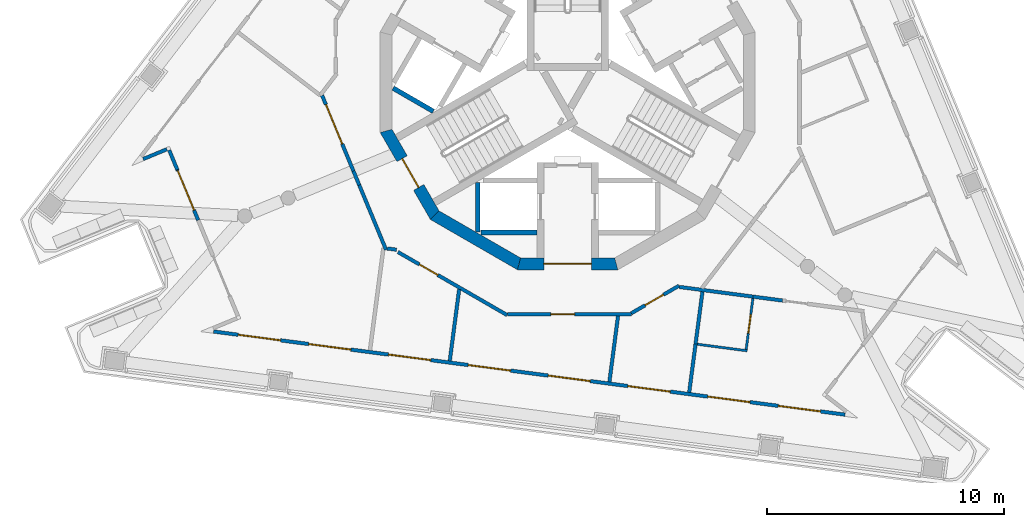
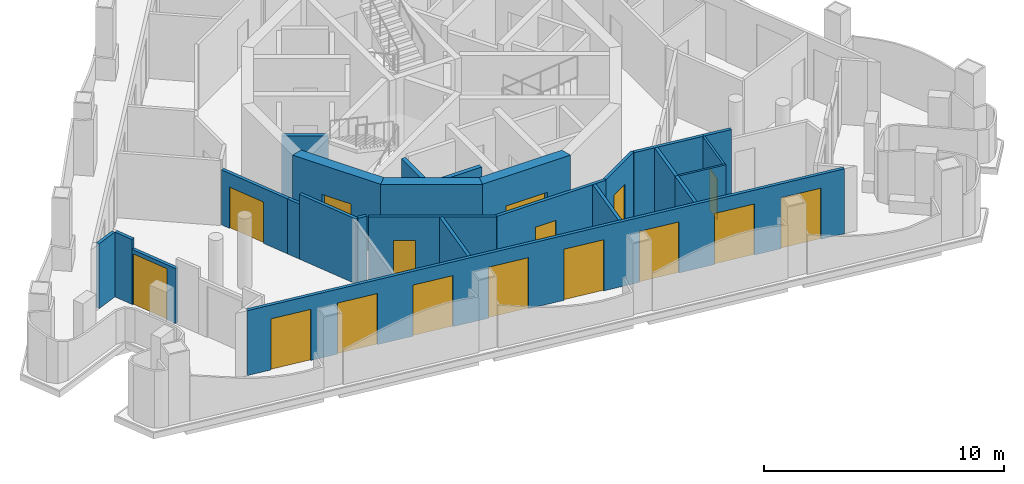
# One storey, part 2 of 13: 25 walls, 16 doors, 16 openings.
"""IFC4 building model written with IfcOpenShell, lengths in metres."""

from ifc_helpers import new_model, si_unit, direction, frame, frame_2d, origin, place, context, subcontext, project, spatial, polyline, rectangle, outline, extrude, material, layer, layer_set, type_object, element, fill, save


model = new_model("IFC4")

# Units and contexts
model_context = context("Model", 3, precision=1e-05, world=origin(), true_north=direction((0.0, 1.0)))
body_context = subcontext(model_context, "Body", "Model", "MODEL_VIEW")
ifc_project = project(units=[si_unit("LENGTHUNIT", "METRE"), si_unit("AREAUNIT", "SQUARE_METRE"), si_unit("VOLUMEUNIT", "CUBIC_METRE"), si_unit("PLANEANGLEUNIT", "RADIAN"), si_unit("MASSUNIT", "GRAM", prefix="KILO")], contexts=[model_context])

# Site, building, storey
site_placement = place(None, origin())
site = spatial("IfcSite", under=ifc_project, at=site_placement, CompositionType="ELEMENT")
building_placement = place(site_placement, origin())
building = spatial("IfcBuilding", under=site, at=building_placement, Name="Trine Commons Tower", CompositionType="ELEMENT")
storey_placement = place(building_placement, frame((0.0, 0.0, 286.199951171875)))
storey = spatial("IfcBuildingStorey", under=building, at=storey_placement, Name="L75", CompositionType="ELEMENT", Elevation=286.199951171875)

# Wall, openings, doors
ifc_material_1 = material(Name="Aluminium-framed insulated wall panel", Category="aluminium")
ifc_layer_1 = layer(ifc_material_1, 0.14990234375)
ifc_layer_set_1 = layer_set([ifc_layer_1], Name="Aluminium-framed insulated wall panel")
wall_type_1 = type_object("IfcWallType", Name="Glazed frame wall 150, EI 60", PredefinedType="SOLIDWALL", material=ifc_layer_set_1)
wall_1_placement = place(storey_placement, frame((91.869140625, 48.4384765625, 0.0), z_axis=(0.0, 0.0, 1.0), x_axis=(-0.991445282789, 0.130522991213, 0.0)))
wall_1 = element("IfcWall", 1, at=wall_1_placement, inside=storey, type_object=wall_type_1, Name="Glazed frame wall F3", PredefinedType="SOLIDWALL", context=body_context, shape_type="SweptSolid", body=[
    extrude(outline(polyline([(0.1494140625, 0.074951171875), (0.1494140625, -0.074951171875), (27.056884765625, -0.074951171875), (27.056884765625, 0.074951171875), (0.1494140625, 0.074951171875)])), origin(), (0.0, 0.0, 1.0), 3.300048828125),
])
opening_1_placement = place(wall_1_placement, frame((1.200439453125, 0.0, 0.0)))
opening_1 = element("IfcOpeningElement", 2, at=opening_1_placement, cuts=wall_1, Name="Opening BD-8F3-01", PredefinedType="OPENING", context=body_context, shape_type="SweptSolid", body=[
    extrude(rectangle(XDim=1.800048828125, YDim=2.60009765625, at=frame_2d((0.89990234375, 1.300048828125))), frame((0.0, 0.0849609375, 0.0), z_axis=(0.0, -1.0, 0.0), x_axis=(1.0, 0.0, 0.0)), (0.0, 0.0, 1.0), 0.169921875),
])
opening_2_placement = place(wall_1_placement, frame((4.201171875, 0.0, 0.0)))
opening_2 = element("IfcOpeningElement", 3, at=opening_2_placement, cuts=wall_1, Name="Opening BD-8F3-02", PredefinedType="OPENING", context=body_context, shape_type="SweptSolid", body=[
    extrude(rectangle(XDim=1.800048828125, YDim=2.60009765625, at=frame_2d((0.89990234375, 1.300048828125))), frame((0.0, 0.0849609375, 0.0), z_axis=(0.0, -1.0, 0.0), x_axis=(1.0, 0.0, 0.0)), (0.0, 0.0, 1.0), 0.169921875),
])
opening_3_placement = place(wall_1_placement, frame((7.60205078125, 0.0, 0.0)))
opening_3 = element("IfcOpeningElement", 4, at=opening_3_placement, cuts=wall_1, Name="Opening BD-8F3-03", PredefinedType="OPENING", context=body_context, shape_type="SweptSolid", body=[
    extrude(rectangle(XDim=1.800048828125, YDim=2.60009765625, at=frame_2d((0.89990234375, 1.300048828125))), frame((0.0, 0.0849609375, 0.0), z_axis=(0.0, -1.0, 0.0), x_axis=(1.0, 0.0, 0.0)), (0.0, 0.0, 1.0), 0.169921875),
])
opening_4_placement = place(wall_1_placement, frame((11.002685546875, 0.0, 0.0)))
opening_4 = element("IfcOpeningElement", 5, at=opening_4_placement, cuts=wall_1, Name="Opening BD-8F3-04", PredefinedType="OPENING", context=body_context, shape_type="SweptSolid", body=[
    extrude(rectangle(XDim=1.800048828125, YDim=2.60009765625, at=frame_2d((0.89990234375, 1.300048828125))), frame((0.0, 0.0849609375, 0.0), z_axis=(0.0, -1.0, 0.0), x_axis=(1.0, 0.0, 0.0)), (0.0, 0.0, 1.0), 0.169921875),
])
opening_5_placement = place(wall_1_placement, frame((14.403564453125, 0.0, 0.0)))
opening_5 = element("IfcOpeningElement", 6, at=opening_5_placement, cuts=wall_1, Name="Opening BD-8F3-05", PredefinedType="OPENING", context=body_context, shape_type="SweptSolid", body=[
    extrude(rectangle(XDim=1.800048828125, YDim=2.60009765625, at=frame_2d((0.89990234375, 1.300048828125))), frame((0.0, 0.0849609375, 0.0), z_axis=(0.0, -1.0, 0.0), x_axis=(1.0, 0.0, 0.0)), (0.0, 0.0, 1.0), 0.169921875),
])
opening_6_placement = place(wall_1_placement, frame((17.804443359375, 0.0, 0.0)))
opening_6 = element("IfcOpeningElement", 7, at=opening_6_placement, cuts=wall_1, Name="Opening BD-8F3-06", PredefinedType="OPENING", context=body_context, shape_type="SweptSolid", body=[
    extrude(rectangle(XDim=1.800048828125, YDim=2.60009765625, at=frame_2d((0.89990234375, 1.300048828125))), frame((0.0, 0.0849609375, 0.0), z_axis=(0.0, -1.0, 0.0), x_axis=(1.0, 0.0, 0.0)), (0.0, 0.0, 1.0), 0.169921875),
])
opening_7_placement = place(wall_1_placement, frame((21.205078125, 0.0, 0.0)))
opening_7 = element("IfcOpeningElement", 8, at=opening_7_placement, cuts=wall_1, Name="Opening BD-8F3-07", PredefinedType="OPENING", context=body_context, shape_type="SweptSolid", body=[
    extrude(rectangle(XDim=1.800048828125, YDim=2.60009765625, at=frame_2d((0.89990234375, 1.300048828125))), frame((0.0, 0.0849609375, 0.0), z_axis=(0.0, -1.0, 0.0), x_axis=(1.0, 0.0, 0.0)), (0.0, 0.0, 1.0), 0.169921875),
])
opening_8_placement = place(wall_1_placement, frame((24.2060546875, 0.0, 0.0)))
opening_8 = element("IfcOpeningElement", 9, at=opening_8_placement, cuts=wall_1, Name="Opening BD-8F3-08", PredefinedType="OPENING", context=body_context, shape_type="SweptSolid", body=[
    extrude(rectangle(XDim=1.800048828125, YDim=2.60009765625, at=frame_2d((0.89990234375, 1.300048828125))), frame((0.0, 0.0849609375, 0.0), z_axis=(0.0, -1.0, 0.0), x_axis=(1.0, 0.0, 0.0)), (0.0, 0.0, 1.0), 0.169921875),
])
ifc_material_2 = material(Name="Anodised aluminium frame with double glazing", Category="aluminium")
door_type_1 = type_object("IfcDoorType", Name="Sliding loggia door 1800x2600", OperationType="SLIDING_TO_LEFT", PredefinedType="DOOR", material=ifc_material_2)
door_1_placement = place(opening_1_placement, origin())
door_1 = element("IfcDoor", 10, at=door_1_placement, inside=storey, type_object=door_type_1, Name="Loggia door F3 1", OperationType="SLIDING_TO_LEFT", OverallHeight=2.60009765625, OverallWidth=1.800048828125, PredefinedType="DOOR", context=body_context, shape_type="SweptSolid", body=[
    extrude(rectangle(XDim=1.800048828125, YDim=2.60009765625, at=frame_2d((0.89990234375, 1.300048828125))), frame((0.0, 0.02490234375, 0.0), z_axis=(0.0, -1.0, 0.0), x_axis=(1.0, 0.0, 0.0)), (0.0, 0.0, 1.0), 0.050048828125),
])
fill(opening_1, door_1)
door_2_placement = place(opening_2_placement, origin())
door_2 = element("IfcDoor", 11, at=door_2_placement, inside=storey, type_object=door_type_1, Name="Loggia door F3 2", OperationType="SLIDING_TO_LEFT", OverallHeight=2.60009765625, OverallWidth=1.800048828125, PredefinedType="DOOR", context=body_context, shape_type="SweptSolid", body=[
    extrude(rectangle(XDim=1.800048828125, YDim=2.60009765625, at=frame_2d((0.89990234375, 1.300048828125))), frame((0.0, 0.02490234375, 0.0), z_axis=(0.0, -1.0, 0.0), x_axis=(1.0, 0.0, 0.0)), (0.0, 0.0, 1.0), 0.050048828125),
])
fill(opening_2, door_2)
door_3_placement = place(opening_3_placement, origin())
door_3 = element("IfcDoor", 12, at=door_3_placement, inside=storey, type_object=door_type_1, Name="Loggia door F3 3", OperationType="SLIDING_TO_LEFT", OverallHeight=2.60009765625, OverallWidth=1.800048828125, PredefinedType="DOOR", context=body_context, shape_type="SweptSolid", body=[
    extrude(rectangle(XDim=1.800048828125, YDim=2.60009765625, at=frame_2d((0.89990234375, 1.300048828125))), frame((0.0, 0.02490234375, 0.0), z_axis=(0.0, -1.0, 0.0), x_axis=(1.0, 0.0, 0.0)), (0.0, 0.0, 1.0), 0.050048828125),
])
fill(opening_3, door_3)
door_4_placement = place(opening_4_placement, origin())
door_4 = element("IfcDoor", 13, at=door_4_placement, inside=storey, type_object=door_type_1, Name="Loggia door F3 4", OperationType="SLIDING_TO_LEFT", OverallHeight=2.60009765625, OverallWidth=1.800048828125, PredefinedType="DOOR", context=body_context, shape_type="SweptSolid", body=[
    extrude(rectangle(XDim=1.800048828125, YDim=2.60009765625, at=frame_2d((0.89990234375, 1.300048828125))), frame((0.0, 0.02490234375, 0.0), z_axis=(0.0, -1.0, 0.0), x_axis=(1.0, 0.0, 0.0)), (0.0, 0.0, 1.0), 0.050048828125),
])
fill(opening_4, door_4)
door_5_placement = place(opening_5_placement, origin())
door_5 = element("IfcDoor", 14, at=door_5_placement, inside=storey, type_object=door_type_1, Name="Loggia door F3 5", OperationType="SLIDING_TO_LEFT", OverallHeight=2.60009765625, OverallWidth=1.800048828125, PredefinedType="DOOR", context=body_context, shape_type="SweptSolid", body=[
    extrude(rectangle(XDim=1.800048828125, YDim=2.60009765625, at=frame_2d((0.89990234375, 1.300048828125))), frame((0.0, 0.02490234375, 0.0), z_axis=(0.0, -1.0, 0.0), x_axis=(1.0, 0.0, 0.0)), (0.0, 0.0, 1.0), 0.050048828125),
])
fill(opening_5, door_5)
door_6_placement = place(opening_6_placement, origin())
door_6 = element("IfcDoor", 15, at=door_6_placement, inside=storey, type_object=door_type_1, Name="Loggia door F3 6", OperationType="SLIDING_TO_LEFT", OverallHeight=2.60009765625, OverallWidth=1.800048828125, PredefinedType="DOOR", context=body_context, shape_type="SweptSolid", body=[
    extrude(rectangle(XDim=1.800048828125, YDim=2.60009765625, at=frame_2d((0.89990234375, 1.300048828125))), frame((0.0, 0.02490234375, 0.0), z_axis=(0.0, -1.0, 0.0), x_axis=(1.0, 0.0, 0.0)), (0.0, 0.0, 1.0), 0.050048828125),
])
fill(opening_6, door_6)
door_7_placement = place(opening_7_placement, origin())
door_7 = element("IfcDoor", 16, at=door_7_placement, inside=storey, type_object=door_type_1, Name="Loggia door F3 7", OperationType="SLIDING_TO_LEFT", OverallHeight=2.60009765625, OverallWidth=1.800048828125, PredefinedType="DOOR", context=body_context, shape_type="SweptSolid", body=[
    extrude(rectangle(XDim=1.800048828125, YDim=2.60009765625, at=frame_2d((0.89990234375, 1.300048828125))), frame((0.0, 0.02490234375, 0.0), z_axis=(0.0, -1.0, 0.0), x_axis=(1.0, 0.0, 0.0)), (0.0, 0.0, 1.0), 0.050048828125),
])
fill(opening_7, door_7)
door_8_placement = place(opening_8_placement, origin())
door_8 = element("IfcDoor", 17, at=door_8_placement, inside=storey, type_object=door_type_1, Name="Loggia door F3 8", OperationType="SLIDING_TO_LEFT", OverallHeight=2.60009765625, OverallWidth=1.800048828125, PredefinedType="DOOR", context=body_context, shape_type="SweptSolid", body=[
    extrude(rectangle(XDim=1.800048828125, YDim=2.60009765625, at=frame_2d((0.89990234375, 1.300048828125))), frame((0.0, 0.02490234375, 0.0), z_axis=(0.0, -1.0, 0.0), x_axis=(1.0, 0.0, 0.0)), (0.0, 0.0, 1.0), 0.050048828125),
])
fill(opening_8, door_8)

# Wall, opening, door
wall_2_placement = place(storey_placement, frame((64.392578125, 56.673095703125, 0.0), z_axis=(0.0, 0.0, 1.0), x_axis=(-0.382693948857, 0.923875176368, 0.0)))
wall_2 = element("IfcWall", 18, at=wall_2_placement, inside=storey, type_object=wall_type_1, Name="Glazed frame wall P3.4", PredefinedType="SOLIDWALL", context=body_context, shape_type="SweptSolid", body=[
    extrude(outline(polyline([(0.0, -0.074951171875), (2.310546875, -0.074951171875), (2.310546875, 0.074951171875), (0.0, 0.074951171875), (0.0, -0.074951171875)])), origin(), (0.0, 0.0, 1.0), 2.800048828125),
])
opening_9_placement = place(wall_2_placement, frame((0.460693359375, 0.0, 0.0)))
opening_9 = element("IfcOpeningElement", 19, at=opening_9_placement, cuts=wall_2, Name="Opening BD-8P3-02", PredefinedType="OPENING", context=body_context, shape_type="SweptSolid", body=[
    extrude(rectangle(XDim=1.800048828125, YDim=2.60009765625, at=frame_2d((0.89990234375, 1.300048828125))), frame((0.0, 0.0849609375, 0.0), z_axis=(0.0, -1.0, 0.0), x_axis=(1.0, 0.0, 0.0)), (0.0, 0.0, 1.0), 0.169921875),
])
door_9_placement = place(opening_9_placement, origin())
door_9 = element("IfcDoor", 20, at=door_9_placement, inside=storey, type_object=door_type_1, Name="Loggia door P3 2", OperationType="SLIDING_TO_LEFT", OverallHeight=2.60009765625, OverallWidth=1.800048828125, PredefinedType="DOOR", context=body_context, shape_type="SweptSolid", body=[
    extrude(rectangle(XDim=1.800048828125, YDim=2.60009765625, at=frame_2d((0.89990234375, 1.300048828125))), frame((0.0, 0.02490234375, 0.0), z_axis=(0.0, -1.0, 0.0), x_axis=(1.0, 0.0, 0.0)), (0.0, 0.0, 1.0), 0.050048828125),
])
fill(opening_9, door_9)

# Walls
wall_3_placement = place(storey_placement, frame((63.50830078125, 58.807861328125, 0.0), z_axis=(0.0, 0.0, 1.0), x_axis=(-0.382603377961, 0.923912688068, 0.0)))
element("IfcWall", 21, at=wall_3_placement, inside=storey, type_object=wall_type_1, Name="Glazed frame wall P3.5", PredefinedType="SOLIDWALL", context=body_context, shape_type="SweptSolid", body=[
    extrude(outline(polyline([(0.889892578125, 0.074951171875), (0.0, 0.074951171875), (0.0, -0.074951171875), (0.889892578125, -0.074951171875), (0.889892578125, 0.074951171875)])), origin(), (0.0, 0.0, 1.0), 3.300048828125),
])
wall_4_placement = place(storey_placement, frame((63.17138671875, 59.712890625, 0.0), z_axis=(0.0, 0.0, 1.0), x_axis=(-0.923837625967, -0.382784588048, 0.0)))
element("IfcWall", 22, at=wall_4_placement, inside=storey, type_object=wall_type_1, Name="Glazed frame wall R12", PredefinedType="SOLIDWALL", context=body_context, shape_type="SweptSolid", body=[
    extrude(outline(polyline([(0.110107421875, 0.074951171875), (0.110107421875, -0.074951171875), (1.19580078125, -0.074951171875), (1.19580078125, 0.074951171875), (0.110107421875, 0.074951171875)])), origin(), (0.0, 0.0, 1.0), 3.300048828125),
])

# Wall, opening, door
ifc_material_3 = material(Name="Concrete C50/60", Category="concrete")
ifc_layer_2 = layer(ifc_material_3, 0.5)
ifc_layer_set_2 = layer_set([ifc_layer_2], Name="Concrete C50/60")
wall_type_2 = type_object("IfcWallType", Name="RC shear wall 500 mm, C50/60", PredefinedType="SHEAR", material=ifc_layer_set_2)
wall_5_placement = place(storey_placement, frame((72.2958984375, 60.502685546875, 0.0), z_axis=(0.0, 0.0, 1.0), x_axis=(0.499992968425, -0.866029463428, 0.0)))
wall_5 = element("IfcWall", 23, at=wall_5_placement, inside=storey, type_object=wall_type_2, Name="Core wall CWH-08 L75", PredefinedType="SHEAR", context=body_context, shape_type="SweptSolid", body=[
    extrude(outline(polyline([(0.0, -0.25), (4.24462890625, -0.25), (4.110595703125, 0.25), (0.134033203125, 0.25), (0.0, -0.25)])), origin(), (0.0, 0.0, 1.0), 3.60009765625),
])
opening_10_placement = place(wall_5_placement, frame((1.42236328125, 0.0, 0.0)))
opening_10 = element("IfcOpeningElement", 24, at=opening_10_placement, cuts=wall_5, Name="Opening K19.02", PredefinedType="OPENING", context=body_context, shape_type="SweptSolid", body=[
    extrude(rectangle(XDim=1.39990234375, YDim=2.10009765625, at=frame_2d((0.699951171875, 1.050048828125))), frame((0.0, 0.260009765625, 0.0), z_axis=(0.0, -1.0, 0.0), x_axis=(1.0, 0.0, 0.0)), (0.0, 0.0, 1.0), 0.52001953125),
])
ifc_material_4 = material(Name="Steel door leaves, fire-rated", Category="steel")
door_type_2 = type_object("IfcDoorType", Name="Stair door, double leaf 1400 x 2100, FD90", OperationType="DOUBLE_DOOR_SINGLE_SWING", PredefinedType="DOOR", material=ifc_material_4)
door_10_placement = place(opening_10_placement, origin())
door_10 = element("IfcDoor", 25, at=door_10_placement, inside=storey, type_object=door_type_2, Name="Stair door to Exit stair ST2D L75", OperationType="DOUBLE_DOOR_SINGLE_SWING", OverallHeight=2.10009765625, OverallWidth=1.39990234375, PredefinedType="DOOR", context=body_context, shape_type="SweptSolid", body=[
    extrude(rectangle(XDim=1.39990234375, YDim=2.10009765625, at=frame_2d((0.699951171875, 1.050048828125))), frame((0.0, 0.02490234375, 0.0), z_axis=(0.0, -1.0, 0.0), x_axis=(1.0, 0.0, 0.0)), (0.0, 0.0, 1.0), 0.050048828125),
])
fill(opening_10, door_10)

# Wall
wall_6_placement = place(storey_placement, frame((74.32666015625, 56.918212890625, 0.0), z_axis=(0.0, 0.0, 1.0), x_axis=(0.866029463428, -0.499992968425, 0.0)))
element("IfcWall", 26, at=wall_6_placement, inside=storey, type_object=wall_type_2, Name="Core wall CWH-09 L75", PredefinedType="SHEAR", context=body_context, shape_type="SweptSolid", body=[
    extrude(outline(polyline([(0.0, -0.25), (4.24462890625, -0.25), (4.110595703125, 0.25), (0.134033203125, 0.25), (0.0, -0.25)])), origin(), (0.0, 0.0, 1.0), 3.60009765625),
])

# Wall, opening, door
wall_7_placement = place(storey_placement, frame((77.877685546875, 54.829345703125, 0.0), z_axis=(0.0, 0.0, 1.0), x_axis=(1.0, 0.0, 0.0)))
wall_7 = element("IfcWall", 27, at=wall_7_placement, inside=storey, type_object=wall_type_2, Name="Core wall CWH-10 L75", PredefinedType="SHEAR", context=body_context, shape_type="SweptSolid", body=[
    extrude(outline(polyline([(0.0, -0.25), (4.24462890625, -0.25), (4.110595703125, 0.25), (0.134033203125, 0.25), (0.0, -0.25)])), origin(), (0.0, 0.0, 1.0), 3.60009765625),
])
opening_11_placement = place(wall_7_placement, frame((1.122314453125, 0.0, 0.0)))
opening_11 = element("IfcOpeningElement", 28, at=opening_11_placement, cuts=wall_7, Name="Opening K19.08", PredefinedType="OPENING", context=body_context, shape_type="SweptSolid", body=[
    extrude(rectangle(XDim=2.0, YDim=2.10009765625, at=frame_2d((1.0, 1.050048828125))), frame((0.0, 0.260009765625, 0.0), z_axis=(0.0, -1.0, 0.0), x_axis=(1.0, 0.0, 0.0)), (0.0, 0.0, 1.0), 0.52001953125),
])
door_type_3 = type_object("IfcDoorType", Name="Lobby door, double leaf 2000 x 2100, FD60", OperationType="DOUBLE_DOOR_SINGLE_SWING", PredefinedType="DOOR", material=ifc_material_4)
door_11_placement = place(opening_11_placement, origin())
door_11 = element("IfcDoor", 29, at=door_11_placement, inside=storey, type_object=door_type_3, Name="Lobby door, Service and firefighting lobby L75", OperationType="DOUBLE_DOOR_SINGLE_SWING", OverallHeight=2.10009765625, OverallWidth=2.0, PredefinedType="DOOR", context=body_context, shape_type="SweptSolid", body=[
    extrude(rectangle(XDim=2.0, YDim=2.10009765625, at=frame_2d((1.0, 1.050048828125))), frame((0.0, 0.02490234375, 0.0), z_axis=(0.0, -1.0, 0.0), x_axis=(1.0, 0.0, 0.0)), (0.0, 0.0, 1.0), 0.050048828125),
])
fill(opening_11, door_11)

# Walls
ifc_material_5 = material(Name="Fire-rated gypsum shaft wall system")
ifc_layer_3 = layer(ifc_material_5, 0.199951171875)
ifc_layer_set_3 = layer_set([ifc_layer_3], Name="Fire-rated gypsum shaft wall system")
wall_type_3 = type_object("IfcWallType", Name="Shaft wall 200 mm, EI 120", PredefinedType="PARTITIONING", material=ifc_layer_set_3)
wall_8_placement = place(storey_placement, frame((74.324951171875, 61.27294921875, 0.0), z_axis=(0.0, 0.0, 1.0), x_axis=(-0.86585547495, 0.500294209939, 0.0)))
element("IfcWall", 30, at=wall_8_placement, inside=storey, type_object=wall_type_3, Name="Shaft wall L75", PredefinedType="PARTITIONING", context=body_context, shape_type="SweptSolid", body=[
    extrude(rectangle(XDim=1.958740234375, YDim=0.199951171875, at=frame_2d((0.9794921875, 0.0))), origin(), (0.0, 0.0, 1.0), 3.300048828125),
])
wall_9_placement = place(storey_placement, frame((76.199951171875, 58.257080078125, 0.0), z_axis=(0.0, 0.0, 1.0), x_axis=(0.0, -1.0, 0.0)))
element("IfcWall", 31, at=wall_9_placement, inside=storey, type_object=wall_type_3, Name="Shaft wall L75", PredefinedType="PARTITIONING", context=body_context, shape_type="SweptSolid", body=[
    extrude(rectangle(XDim=2.073974609375, YDim=0.199951171875, at=frame_2d((1.037109375, 0.0))), origin(), (0.0, 0.0, 1.0), 3.300048828125),
])
wall_10_placement = place(storey_placement, frame((78.699951171875, 56.14990234375, 0.0), z_axis=(0.0, 0.0, 1.0), x_axis=(-1.0, 0.0, 0.0)))
element("IfcWall", 32, at=wall_10_placement, inside=storey, type_object=wall_type_3, Name="Shaft wall L75", PredefinedType="PARTITIONING", context=body_context, shape_type="SweptSolid", body=[
    extrude(rectangle(XDim=2.368896484375, YDim=0.199951171875, at=frame_2d((1.1845703125, 0.0))), origin(), (0.0, 0.0, 1.0), 3.300048828125),
])

# Wall, opening, door
ifc_material_6 = material(Name="Gypsum plasterboard on steel stud", Category="steel")
ifc_layer_4 = layer(ifc_material_6, 0.14990234375)
ifc_layer_set_4 = layer_set([ifc_layer_4], Name="Gypsum plasterboard on steel stud")
wall_type_4 = type_object("IfcWallType", Name="Unit and corridor wall 150 mm, EI 60", PredefinedType="PARTITIONING", material=ifc_layer_set_4)
wall_11_placement = place(storey_placement, frame((69.626708984375, 61.94580078125, 0.0), z_axis=(0.0, 0.0, 1.0), x_axis=(0.382659407135, -0.923889483721, 0.0)))
wall_11 = element("IfcWall", 33, at=wall_11_placement, inside=storey, type_object=wall_type_4, Name="Partition 004", PredefinedType="PARTITIONING", context=body_context, shape_type="SweptSolid", body=[
    extrude(rectangle(XDim=3.4580078125, YDim=0.14990234375, at=frame_2d((1.72900390625, 0.0))), origin(), (0.0, 0.0, 1.0), 2.800048828125),
])
opening_12_placement = place(wall_11_placement, frame((0.421630859375, 0.0, 0.0)))
opening_12 = element("IfcOpeningElement", 34, at=opening_12_placement, cuts=wall_11, Name="Opening D-8B03", PredefinedType="OPENING", context=body_context, shape_type="SweptSolid", body=[
    extrude(rectangle(XDim=1.800048828125, YDim=2.10009765625, at=frame_2d((0.89990234375, 1.050048828125))), frame((0.0, 0.0849609375, 0.0), z_axis=(0.0, -1.0, 0.0), x_axis=(1.0, 0.0, 0.0)), (0.0, 0.0, 1.0), 0.169921875),
])
ifc_material_7 = material(Name="Timber fire door set", Category="wood")
door_type_4 = type_object("IfcDoorType", Name="Cluster entrance door 1800 x 2100, double leaf, FD30S", OperationType="DOUBLE_DOOR_DOUBLE_SWING", PredefinedType="DOOR", material=ifc_material_7)
door_12_placement = place(opening_12_placement, frame((1.800048828125, 0.0, 0.0), z_axis=(0.0, 0.0, 1.0), x_axis=(-1.0, 0.0, 0.0)))
door_12 = element("IfcDoor", 35, at=door_12_placement, inside=storey, type_object=door_type_4, Name="Door D-8B03", OperationType="DOUBLE_DOOR_DOUBLE_SWING", OverallHeight=2.10009765625, OverallWidth=1.800048828125, PredefinedType="DOOR", context=body_context, shape_type="SweptSolid", body=[
    extrude(rectangle(XDim=1.800048828125, YDim=2.10009765625, at=frame_2d((0.89990234375, 1.050048828125))), frame((0.0, 0.02490234375, 0.0), z_axis=(0.0, -1.0, 0.0), x_axis=(1.0, 0.0, 0.0)), (0.0, 0.0, 1.0), 0.050048828125),
])
fill(opening_12, door_12)

# Walls
wall_12_placement = place(storey_placement, frame((70.949951171875, 58.7509765625, 0.0), z_axis=(0.0, 0.0, 1.0), x_axis=(0.383291989612, -0.923627224967, 0.0)))
element("IfcWall", 36, at=wall_12_placement, inside=storey, type_object=wall_type_4, Name="Partition 008", PredefinedType="PARTITIONING", context=body_context, shape_type="SweptSolid", body=[
    extrude(rectangle(XDim=0.64208984375, YDim=0.14990234375, at=frame_2d((0.321044921875, 0.0))), origin(), (0.0, 0.0, 1.0), 2.800048828125),
])
wall_13_placement = place(storey_placement, frame((71.196044921875, 58.157958984375, 0.0), z_axis=(0.0, 0.0, 1.0), x_axis=(0.382720248055, -0.923864282094, 0.0)))
element("IfcWall", 37, at=wall_13_placement, inside=storey, type_object=wall_type_4, Name="Partition 009", PredefinedType="PARTITIONING", context=body_context, shape_type="SweptSolid", body=[
    extrude(rectangle(XDim=2.965087890625, YDim=0.14990234375, at=frame_2d((1.482421875, 0.0))), origin(), (0.0, 0.0, 1.0), 3.300048828125),
])
wall_14_placement = place(storey_placement, frame((72.37646484375, 55.478271484375, 0.0), z_axis=(0.0, 0.0, 1.0), x_axis=(0.991429342672, -0.130644014367, 0.0)))
element("IfcWall", 38, at=wall_14_placement, inside=storey, type_object=wall_type_4, Name="Partition 012", PredefinedType="PARTITIONING", context=body_context, shape_type="SweptSolid", body=[
    extrude(rectangle(XDim=0.39990234375, YDim=0.14990234375, at=frame_2d((0.199951171875, 0.0))), origin(), (0.0, 0.0, 1.0), 3.300048828125),
])

# Wall, opening, door
wall_15_placement = place(storey_placement, frame((72.8291015625, 55.3291015625, 0.0), z_axis=(0.0, 0.0, 1.0), x_axis=(0.865982457891, -0.500074377092, 0.0)))
wall_15 = element("IfcWall", 39, at=wall_15_placement, inside=storey, type_object=wall_type_4, Name="Partition 013", PredefinedType="PARTITIONING", context=body_context, shape_type="SweptSolid", body=[
    extrude(rectangle(XDim=5.324462890625, YDim=0.14990234375, at=frame_2d((2.662109375, 0.0))), origin(), (0.0, 0.0, 1.0), 3.300048828125),
])
opening_13_placement = place(wall_15_placement, frame((1.05029296875, 0.0, 0.0)))
opening_13 = element("IfcOpeningElement", 40, at=opening_13_placement, cuts=wall_15, Name="Opening D-8B15", PredefinedType="OPENING", context=body_context, shape_type="SweptSolid", body=[
    extrude(rectangle(XDim=0.89990234375, YDim=2.10009765625, at=frame_2d((0.449951171875, 1.050048828125))), frame((0.0, 0.0849609375, 0.0), z_axis=(0.0, -1.0, 0.0), x_axis=(1.0, 0.0, 0.0)), (0.0, 0.0, 1.0), 0.169921875),
])
door_type_5 = type_object("IfcDoorType", Name="Service door 900 x 2100, FD30S", OperationType="NOTDEFINED", PredefinedType="DOOR", material=ifc_material_7)
door_13_placement = place(opening_13_placement, frame((0.89990234375, 0.0, 0.0), z_axis=(0.0, 0.0, 1.0), x_axis=(-1.0, 0.0, 0.0)))
door_13 = element("IfcDoor", 41, at=door_13_placement, inside=storey, type_object=door_type_5, Name="Door D-8B15", OperationType="SINGLE_SWING_RIGHT", OverallHeight=2.10009765625, OverallWidth=0.89990234375, PredefinedType="DOOR", context=body_context, shape_type="SweptSolid", body=[
    extrude(rectangle(XDim=0.89990234375, YDim=2.10009765625, at=frame_2d((0.449951171875, 1.050048828125))), frame((0.0, 0.02490234375, 0.0), z_axis=(0.0, -1.0, 0.0), x_axis=(1.0, 0.0, 0.0)), (0.0, 0.0, 1.0), 0.050048828125),
])
fill(opening_13, door_13)

# Wall
wall_16_placement = place(storey_placement, frame((75.020263671875, 50.732666015625, 0.0), z_axis=(0.0, 0.0, 1.0), x_axis=(0.130558109067, 0.991440658918, 0.0)))
element("IfcWall", 42, at=wall_16_placement, inside=storey, type_object=wall_type_4, Name="Partition 016", PredefinedType="PARTITIONING", context=body_context, shape_type="SweptSolid", body=[
    extrude(rectangle(XDim=3.048095703125, YDim=0.14990234375, at=frame_2d((1.52392578125, 0.0))), origin(), (0.0, 0.0, 1.0), 3.300048828125),
])

# Wall, opening, door
wall_17_placement = place(storey_placement, frame((77.449951171875, 52.7041015625, 0.0), z_axis=(0.0, 0.0, 1.0), x_axis=(1.0, 0.0, 0.0)))
wall_17 = element("IfcWall", 43, at=wall_17_placement, inside=storey, type_object=wall_type_4, Name="Partition 019", PredefinedType="PARTITIONING", context=body_context, shape_type="SweptSolid", body=[
    extrude(rectangle(XDim=5.25, YDim=0.14990234375, at=frame_2d((2.625, 0.0))), origin(), (0.0, 0.0, 1.0), 3.300048828125),
])
opening_14_placement = place(wall_17_placement, frame((1.844970703125, 0.0, 0.0)))
opening_14 = element("IfcOpeningElement", 44, at=opening_14_placement, cuts=wall_17, Name="Opening D-8B14", PredefinedType="OPENING", context=body_context, shape_type="SweptSolid", body=[
    extrude(rectangle(XDim=1.0, YDim=2.10009765625, at=frame_2d((0.5, 1.050048828125))), frame((0.0, 0.0849609375, 0.0), z_axis=(0.0, -1.0, 0.0), x_axis=(1.0, 0.0, 0.0)), (0.0, 0.0, 1.0), 0.169921875),
])
ifc_material_8 = material(Name="Painted timber", Category="wood")
door_type_6 = type_object("IfcDoorType", Name="Amenity room door 1000 x 2100, NOT RATED", OperationType="NOTDEFINED", PredefinedType="DOOR", material=ifc_material_8)
door_14_placement = place(opening_14_placement, frame((1.0, 0.0, 0.0), z_axis=(0.0, 0.0, 1.0), x_axis=(-1.0, 0.0, 0.0)))
door_14 = element("IfcDoor", 45, at=door_14_placement, inside=storey, type_object=door_type_6, Name="Door D-8B14", OperationType="SINGLE_SWING_RIGHT", OverallHeight=2.10009765625, OverallWidth=1.0, PredefinedType="DOOR", context=body_context, shape_type="SweptSolid", body=[
    extrude(rectangle(XDim=1.0, YDim=2.10009765625, at=frame_2d((0.5, 1.050048828125))), frame((0.0, 0.02490234375, 0.0), z_axis=(0.0, -1.0, 0.0), x_axis=(1.0, 0.0, 0.0)), (0.0, 0.0, 1.0), 0.050048828125),
])
fill(opening_14, door_14)

# Wall
wall_18_placement = place(storey_placement, frame((81.76416015625, 49.8447265625, 0.0), z_axis=(0.0, 0.0, 1.0), x_axis=(0.130290377986, 0.991475878377, 0.0)))
element("IfcWall", 46, at=wall_18_placement, inside=storey, type_object=wall_type_4, Name="Partition 024", PredefinedType="PARTITIONING", context=body_context, shape_type="SweptSolid", body=[
    extrude(rectangle(XDim=2.808837890625, YDim=0.14990234375, at=frame_2d((1.404296875, 0.0))), origin(), (0.0, 0.0, 1.0), 3.300048828125),
])

# Wall, opening, door
wall_19_placement = place(storey_placement, frame((82.68994140625, 52.741455078125, 0.0), z_axis=(0.0, 0.0, 1.0), x_axis=(0.865980532278, 0.500077711676, 0.0)))
wall_19 = element("IfcWall", 47, at=wall_19_placement, inside=storey, type_object=wall_type_4, Name="Partition 025", PredefinedType="PARTITIONING", context=body_context, shape_type="SweptSolid", body=[
    extrude(rectangle(XDim=2.320068359375, YDim=0.14990234375, at=frame_2d((1.16015625, 0.0))), origin(), (0.0, 0.0, 1.0), 3.300048828125),
])
opening_15_placement = place(wall_19_placement, frame((0.672607421875, 0.0, 0.0)))
opening_15 = element("IfcOpeningElement", 48, at=opening_15_placement, cuts=wall_19, Name="Opening D-8B13", PredefinedType="OPENING", context=body_context, shape_type="SweptSolid", body=[
    extrude(rectangle(XDim=0.89990234375, YDim=2.10009765625, at=frame_2d((0.449951171875, 1.050048828125))), frame((0.0, 0.0849609375, 0.0), z_axis=(0.0, -1.0, 0.0), x_axis=(1.0, 0.0, 0.0)), (0.0, 0.0, 1.0), 0.169921875),
])
door_15_placement = place(opening_15_placement, frame((0.89990234375, 0.0, 0.0), z_axis=(0.0, 0.0, 1.0), x_axis=(-1.0, 0.0, 0.0)))
door_15 = element("IfcDoor", 49, at=door_15_placement, inside=storey, type_object=door_type_5, Name="Door D-8B13", OperationType="SINGLE_SWING_RIGHT", OverallHeight=2.10009765625, OverallWidth=0.89990234375, PredefinedType="DOOR", context=body_context, shape_type="SweptSolid", body=[
    extrude(rectangle(XDim=0.89990234375, YDim=2.10009765625, at=frame_2d((0.449951171875, 1.050048828125))), frame((0.0, 0.02490234375, 0.0), z_axis=(0.0, -1.0, 0.0), x_axis=(1.0, 0.0, 0.0)), (0.0, 0.0, 1.0), 0.050048828125),
])
fill(opening_15, door_15)

# Walls
wall_20_placement = place(storey_placement, frame((84.70849609375, 53.854248046875, 0.0), z_axis=(0.0, 0.0, 1.0), x_axis=(0.991449115066, -0.130493878153, 0.0)))
element("IfcWall", 50, at=wall_20_placement, inside=storey, type_object=wall_type_4, Name="Partition 028", PredefinedType="PARTITIONING", context=body_context, shape_type="SweptSolid", body=[
    extrude(rectangle(XDim=3.20849609375, YDim=0.14990234375, at=frame_2d((1.604248046875, 0.0))), origin(), (0.0, 0.0, 1.0), 3.300048828125),
])
wall_21_placement = place(storey_placement, frame((85.13525390625, 49.400634765625, 0.0), z_axis=(0.0, 0.0, 1.0), x_axis=(0.130479037317, 0.991451068294, 0.0)))
element("IfcWall", 51, at=wall_21_placement, inside=storey, type_object=wall_type_4, Name="Partition 029", PredefinedType="PARTITIONING", context=body_context, shape_type="SweptSolid", body=[
    extrude(rectangle(XDim=2.06005859375, YDim=0.14990234375, at=frame_2d((1.030029296875, 0.0))), origin(), (0.0, 0.0, 1.0), 3.300048828125),
])
wall_22_placement = place(storey_placement, frame((85.404052734375, 51.443115234375, 0.0), z_axis=(0.0, 0.0, 1.0), x_axis=(0.130920053601, 0.991392928946, 0.0)))
element("IfcWall", 52, at=wall_22_placement, inside=storey, type_object=wall_type_4, Name="Partition 032", PredefinedType="PARTITIONING", context=body_context, shape_type="SweptSolid", body=[
    extrude(rectangle(XDim=2.224609375, YDim=0.14990234375, at=frame_2d((1.1123046875, 0.0))), origin(), (0.0, 0.0, 1.0), 3.300048828125),
])
wall_23_placement = place(storey_placement, frame((87.83203125, 53.443115234375, 0.0), z_axis=(0.0, 0.0, 1.0), x_axis=(0.991413847303, -0.130761551597, 0.0)))
element("IfcWall", 53, at=wall_23_placement, inside=storey, type_object=wall_type_4, Name="Partition 040", PredefinedType="PARTITIONING", context=body_context, shape_type="SweptSolid", body=[
    extrude(rectangle(XDim=1.254638671875, YDim=0.14990234375, at=frame_2d((0.62744140625, 0.0))), origin(), (0.0, 0.0, 1.0), 3.300048828125),
])
ifc_layer_5 = layer(ifc_material_6, 0.10009765625)
ifc_layer_set_5 = layer_set([ifc_layer_5], Name="Gypsum plasterboard on steel stud")
wall_type_5 = type_object("IfcWallType", Name="Unit partition 100 mm, no rating", PredefinedType="PARTITIONING", material=ifc_layer_set_5)
wall_24_placement = place(storey_placement, frame((85.478515625, 51.43310546875, 0.0), z_axis=(0.0, 0.0, 1.0), x_axis=(0.991434344141, -0.130606053677, 0.0)))
element("IfcWall", 54, at=wall_24_placement, inside=storey, type_object=wall_type_5, Name="Partition 033", PredefinedType="PARTITIONING", context=body_context, shape_type="SweptSolid", body=[
    extrude(rectangle(XDim=2.12548828125, YDim=0.10009765625, at=frame_2d((1.062744140625, 0.0))), origin(), (0.0, 0.0, 1.0), 3.300048828125),
])

# Wall, opening, door
wall_25_placement = place(storey_placement, frame((87.54248046875, 51.211669921875, 0.0), z_axis=(0.0, 0.0, 1.0), x_axis=(0.13039935739, 0.991461551242, 0.0)))
wall_25 = element("IfcWall", 55, at=wall_25_placement, inside=storey, type_object=wall_type_5, Name="Partition 038", PredefinedType="PARTITIONING", context=body_context, shape_type="SweptSolid", body=[
    extrude(rectangle(XDim=2.175537109375, YDim=0.10009765625, at=frame_2d((1.087890625, 0.0))), origin(), (0.0, 0.0, 1.0), 3.300048828125),
])
opening_16_placement = place(wall_25_placement, frame((0.687744140625, 0.0, 0.0)))
opening_16 = element("IfcOpeningElement", 56, at=opening_16_placement, cuts=wall_25, Name="Opening D-8B19", PredefinedType="OPENING", context=body_context, shape_type="SweptSolid", body=[
    extrude(rectangle(XDim=0.800048828125, YDim=2.10009765625, at=frame_2d((0.39990234375, 1.050048828125))), frame((0.0, 0.06005859375, 0.0), z_axis=(0.0, -1.0, 0.0), x_axis=(1.0, 0.0, 0.0)), (0.0, 0.0, 1.0), 0.1201171875),
])
door_type_7 = type_object("IfcDoorType", Name="Internal door 800 x 2100, NOT RATED", OperationType="NOTDEFINED", PredefinedType="DOOR", material=ifc_material_8)
door_16_placement = place(opening_16_placement, frame((0.800048828125, 0.0, 0.0), z_axis=(0.0, 0.0, 1.0), x_axis=(-1.0, 0.0, 0.0)))
door_16 = element("IfcDoor", 57, at=door_16_placement, inside=storey, type_object=door_type_7, Name="Door D-8B19", OperationType="SINGLE_SWING_RIGHT", OverallHeight=2.10009765625, OverallWidth=0.800048828125, PredefinedType="DOOR", context=body_context, shape_type="SweptSolid", body=[
    extrude(rectangle(XDim=0.800048828125, YDim=2.10009765625, at=frame_2d((0.39990234375, 1.050048828125))), frame((0.0, 0.02490234375, 0.0), z_axis=(0.0, -1.0, 0.0), x_axis=(1.0, 0.0, 0.0)), (0.0, 0.0, 1.0), 0.050048828125),
])
fill(opening_16, door_16)

save(model, "model.ifc")
